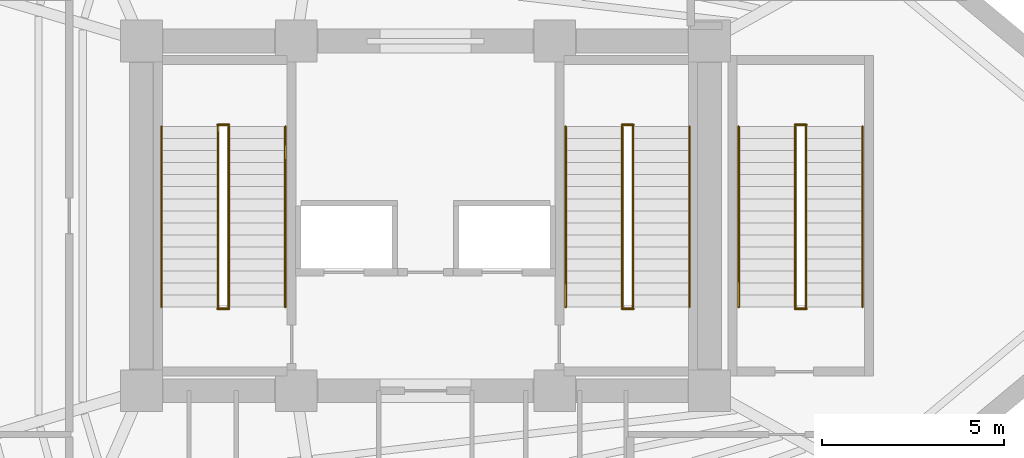
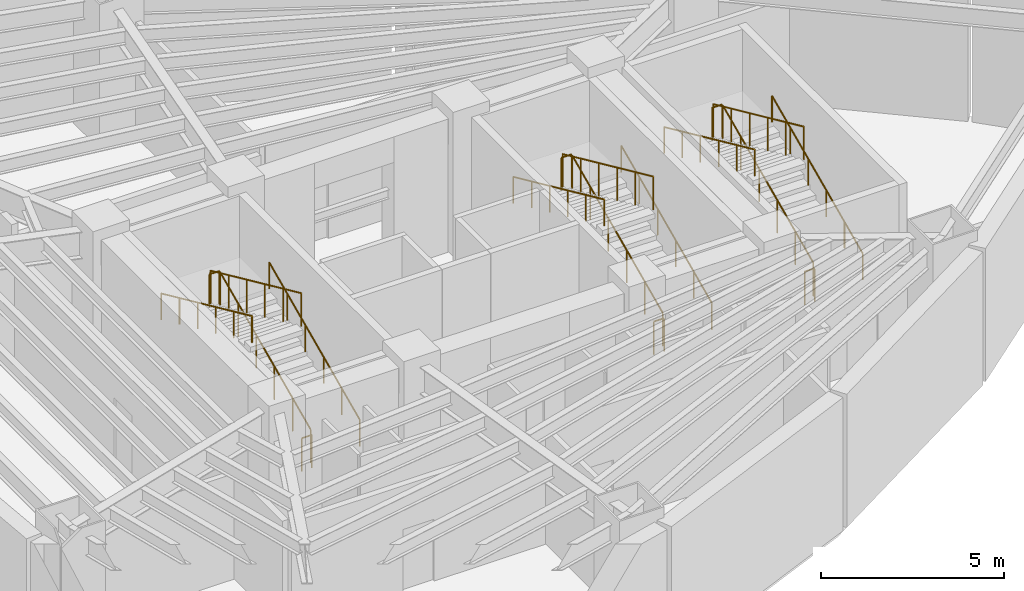
# One storey, part 5 of 5: 18 railings.
"""IFC4 building model written with IfcOpenShell, lengths in metres."""

import ifcopenshell
import ifcopenshell.guid

model = None  # the IFC model being written
_history = None  # IfcOwnerHistory: only IFC2X3 demands one
_inside = {}  # id of a spatial element -> (the spatial element, [elements in it])
_under = {}  # id of a project, library or spatial element -> (it, [spatial elements below it])
_declared = {}  # id of a project -> (the project, [libraries it declares])
_typed = {}  # id of a type object -> (the type object, [elements of that type])
_made_of = {}  # id of a material, layer set ... -> (it, [elements and type objects made of it])


def new_model(schema):
    """Start an empty IFC model of exactly this schema.

    Asked for "IFC4X3", IfcOpenShell would pick the latest addendum, in which some entities
    have other attributes; the version numbers below select the first issue.
    IFC2X3 requires an IfcOwnerHistory on every rooted entity: one is made here for all.
    """
    global model, _history
    if schema == "IFC4X3":
        model = ifcopenshell.file(schema_version=(4, 3, 0, 0))
    else:
        model = ifcopenshell.file(schema=schema)
    _inside.clear()
    _under.clear()
    _declared.clear()
    _typed.clear()
    _made_of.clear()
    _history = None
    if model.schema == "IFC2X3":
        org = make("IfcOrganization", Name="unknown")
        user = make(
            "IfcPersonAndOrganization",
            ThePerson=make("IfcPerson", FamilyName="unknown"),
            TheOrganization=org,
        )
        app = make(
            "IfcApplication",
            ApplicationDeveloper=org,
            Version="unknown",
            ApplicationFullName="unknown",
            ApplicationIdentifier="unknown",
        )
        _history = make(
            "IfcOwnerHistory",
            OwningUser=user,
            OwningApplication=app,
            ChangeAction="ADDED",
            CreationDate=0,
        )
    return model


def make(cls, **values):
    """One entity of the class cls with the attributes given. An attribute that is None is left unset."""
    return model.create_entity(
        cls, **{name: value for name, value in values.items() if value is not None}
    )


def rooted(cls, **values):
    """An entity with a GlobalId (a new one), such as an element, a storey or a relation."""
    return make(cls, GlobalId=ifcopenshell.guid.new(), OwnerHistory=_history, **values)


def si_unit(unit_type, name, prefix=None):
    """IfcSIUnit, for example si_unit("LENGTHUNIT", "METRE", prefix="MILLI")."""
    return make("IfcSIUnit", UnitType=unit_type, Prefix=prefix, Name=name)


def assignment(units):
    """IfcUnitAssignment: the units of a project."""
    return None if units is None else make("IfcUnitAssignment", Units=units)


def point(xyz):
    """IfcCartesianPoint."""
    return None if xyz is None else make("IfcCartesianPoint", Coordinates=xyz)


def direction(xyz):
    """IfcDirection."""
    return None if xyz is None else make("IfcDirection", DirectionRatios=xyz)


def frame(location, z_axis=None, x_axis=None):
    """IfcAxis2Placement3D, a coordinate frame: its origin and axes. An axis left out is left unset."""
    return make(
        "IfcAxis2Placement3D",
        Location=point(location),
        Axis=direction(z_axis),
        RefDirection=direction(x_axis),
    )


def frame_2d(location, x_axis=None):
    """IfcAxis2Placement2D, a coordinate frame in the plane: its origin and x axis."""
    return make(
        "IfcAxis2Placement2D", Location=point(location), RefDirection=direction(x_axis)
    )


def origin():
    """The frame at (0, 0, 0) with its axes left unset."""
    return frame((0.0, 0.0, 0.0))


def origin_2d():
    """The frame at (0, 0) in the plane with its x axis left unset."""
    return frame_2d((0.0, 0.0))


def place(relative_to, where):
    """IfcLocalPlacement: puts the frame where relative to a parent placement (None: the world)."""
    return make(
        "IfcLocalPlacement", PlacementRelTo=relative_to, RelativePlacement=where
    )


def context(
    kind, dimensions, precision=None, world=None, true_north=None, identifier=None
):
    """IfcGeometricRepresentationContext, for example the 3D "Model" context."""
    return make(
        "IfcGeometricRepresentationContext",
        ContextIdentifier=identifier,
        ContextType=kind,
        CoordinateSpaceDimension=dimensions,
        Precision=precision,
        WorldCoordinateSystem=world,
        TrueNorth=true_north,
    )


def subcontext(parent, identifier, kind, view, scale=None):
    """IfcGeometricRepresentationSubContext, for example "Body" below "Model"."""
    return make(
        "IfcGeometricRepresentationSubContext",
        ContextIdentifier=identifier,
        ContextType=kind,
        ParentContext=parent,
        TargetScale=scale,
        TargetView=view,
    )


def project(units=None, contexts=None):
    """IfcProject with its units and contexts."""
    return rooted(
        "IfcProject",
        Name="project",
        RepresentationContexts=contexts,
        UnitsInContext=assignment(units),
    )


def spatial(cls, under=None, at=None, **own):
    """A site, building, storey or space (cls), placed at a placement, below another one or the project."""
    s = rooted(cls, ObjectPlacement=at, **own)
    if under is not None:
        _under.setdefault(under.id(), (under, []))[1].append(s)
    return s


def profile(cls, at=None, kind="AREA", **sizes):
    """A parametric profile (cls). Its sizes go by their IFC names, for example OverallWidth=200.0."""
    return make(cls, ProfileType=kind, Position=at, **sizes)


def circle(**sizes):
    """IfcCircleProfileDef."""
    return profile("IfcCircleProfileDef", **sizes)


def extrude(swept, where, along, depth):
    """IfcExtrudedAreaSolid: the profile swept, set in the frame where, extruded along a direction by depth."""
    return make(
        "IfcExtrudedAreaSolid",
        SweptArea=swept,
        Position=where,
        ExtrudedDirection=direction(along),
        Depth=depth,
    )


def shape(context_of_items, identifier, shape_type, items):
    """IfcShapeRepresentation: the items that make up one representation, for example the "Body"."""
    return make(
        "IfcShapeRepresentation",
        ContextOfItems=context_of_items,
        RepresentationIdentifier=identifier,
        RepresentationType=shape_type,
        Items=items,
    )


def material(Name=None, Category=None):
    """IfcMaterial."""
    return make("IfcMaterial", Name=Name, Category=Category)


def made_of(thing, what):
    """Note that an element or type object is made of a material, layer set ...; save() writes the relation."""
    if what is not None:
        _made_of.setdefault(what.id(), (what, []))[1].append(thing)
    return thing


def type_object(cls, material=None, **own):
    """A type object (cls), such as IfcWallType, which elements share."""
    return made_of(rooted(cls, **own), material)


def element(
    cls,
    number,
    at=None,
    inside=None,
    cuts=None,
    type_object=None,
    material=None,
    context=None,
    identifier="Body",
    shape_type=None,
    held_by="IfcProductDefinitionShape",
    body=None,
    shapes=None,
    **own,
):
    """One element of the class cls, such as IfcWall. Its Tag is "e" and its number.

    at: its placement. inside: the storey or other place that contains it. cuts: it is an
    opening in that element (IfcRelVoidsElement). A single representation is given by context,
    identifier, shape_type and body (its items); several are given by shapes. held_by: the class
    of the entity that holds the representations. save() writes the other relations.
    """
    e = rooted(cls, Tag="e%d" % number, ObjectPlacement=at, **own)
    if body is not None:
        shapes = [shape(context, identifier, shape_type, body)]
    if shapes is not None:
        e.Representation = make(held_by, Representations=shapes)
    if inside is not None:
        _inside.setdefault(inside.id(), (inside, []))[1].append(e)
    if cuts is not None:
        rooted(
            "IfcRelVoidsElement", RelatingBuildingElement=cuts, RelatedOpeningElement=e
        )
    if type_object is not None:
        _typed.setdefault(type_object.id(), (type_object, []))[1].append(e)
    return made_of(e, material)


def aggregate(whole, parts):
    """IfcRelAggregates: a whole, such as a stair, and the parts it consists of."""
    return rooted("IfcRelAggregates", RelatingObject=whole, RelatedObjects=parts)


def save(model, path):
    """Write the relations noted so far, then the file.

    IfcRelAggregates (storeys below a building ...), IfcRelContainedInSpatialStructure (elements
    in a storey), IfcRelDefinesByType, IfcRelAssociatesMaterial and IfcRelDeclares: one each for
    every whole, place, type object, material and project.
    """
    for whole, parts in _under.values():
        aggregate(whole, parts)
    for where, things in _inside.values():
        rooted(
            "IfcRelContainedInSpatialStructure",
            RelatedElements=things,
            RelatingStructure=where,
        )
    for kind, things in _typed.values():
        rooted("IfcRelDefinesByType", RelatedObjects=things, RelatingType=kind)
    for what, things in _made_of.values():
        rooted("IfcRelAssociatesMaterial", RelatedObjects=things, RelatingMaterial=what)
    for by, libraries in _declared.values():
        rooted("IfcRelDeclares", RelatingContext=by, RelatedDefinitions=libraries)
    model.write(path)


model = new_model("IFC4")

# Units and contexts
model_context = context("Model", 3, precision=1e-05, world=origin(), true_north=direction((0.0, 1.0)))
body_context = subcontext(model_context, "Body", "Model", "MODEL_VIEW")
ifc_project = project(units=[si_unit("LENGTHUNIT", "METRE"), si_unit("AREAUNIT", "SQUARE_METRE"), si_unit("VOLUMEUNIT", "CUBIC_METRE"), si_unit("PLANEANGLEUNIT", "RADIAN"), si_unit("MASSUNIT", "GRAM", prefix="KILO")], contexts=[model_context])

# Site, building, storey
site_placement = place(None, origin())
site = spatial("IfcSite", under=ifc_project, at=site_placement, CompositionType="ELEMENT")
building_placement = place(site_placement, origin())
building = spatial("IfcBuilding", under=site, at=building_placement, Name="Menara Vayukalpa", CompositionType="ELEMENT")
storey_placement = place(building_placement, frame((0.0, 0.0, -4.800048828125)))
storey = spatial("IfcBuildingStorey", under=building, at=storey_placement, Name="B01", CompositionType="ELEMENT", Elevation=-4.800048828125)

# Railings
ifc_material_1 = material(Name="Powder-Coated Galvanised Steel Guardrail", Category="steel")
railing_type_1 = type_object("IfcRailingType", Name="RLG-STG110", PredefinedType="GUARDRAIL", material=ifc_material_1)
railing_1_placement = place(storey_placement, frame((20.199951171875, 19.5, 0.150146484375)))
element("IfcRailing", 1, at=railing_1_placement, inside=storey, type_object=railing_type_1, Name="B01 ST-1 stair guard 1", PredefinedType="GUARDRAIL", context=body_context, shape_type="SweptSolid", body=[
    extrude(circle(Radius=0.02392578125, at=origin_2d()), frame((0.0, 0.0, 1.09619140625), z_axis=(0.0, 0.910364939756, 0.41380632724), x_axis=(-1.0, 0.0, 0.0)), (0.0, 0.0, 1.0), 5.437255859375),
    extrude(circle(Radius=0.02099609375, at=origin_2d()), origin(), (0.0, 0.0, 1.0), 1.072021484375),
    extrude(circle(Radius=0.02099609375, at=origin_2d()), frame((0.0, 0.989990234375, 0.449951171875)), (0.0, 0.0, 1.0), 1.072021484375),
    extrude(circle(Radius=0.02099609375, at=origin_2d()), frame((0.0, 1.97998046875, 0.89990234375)), (0.0, 0.0, 1.0), 1.072021484375),
    extrude(circle(Radius=0.02099609375, at=origin_2d()), frame((0.0, 2.969970703125, 1.35009765625)), (0.0, 0.0, 1.0), 1.072021484375),
    extrude(circle(Radius=0.02099609375, at=origin_2d()), frame((0.0, 3.9599609375, 1.800048828125)), (0.0, 0.0, 1.0), 1.072021484375),
    extrude(circle(Radius=0.02099609375, at=origin_2d()), frame((0.0, 4.949951171875, 2.25)), (0.0, 0.0, 1.0), 1.072021484375),
])
railing_2_placement = place(storey_placement, frame((20.2099609375, 24.5, 2.400146484375)))
element("IfcRailing", 2, at=railing_2_placement, inside=storey, type_object=railing_type_1, Name="B01 ST-1 stair guard 2", PredefinedType="GUARDRAIL", context=body_context, shape_type="SweptSolid", body=[
    extrude(circle(Radius=0.02392578125, at=origin_2d()), frame((0.0, 0.0, 1.09619140625), z_axis=(-1.0, 0.0, 0.0), x_axis=(0.0, -1.0, 0.0)), (0.0, 0.0, 1.0), 0.320068359375),
    extrude(circle(Radius=0.02099609375, at=origin_2d()), origin(), (0.0, 0.0, 1.0), 1.072021484375),
    extrude(circle(Radius=0.02099609375, at=origin_2d()), frame((-0.320068359375, 0.0, 0.0)), (0.0, 0.0, 1.0), 1.072021484375),
])
railing_3_placement = place(storey_placement, frame((19.89990234375, 24.449951171875, 2.550048828125)))
element("IfcRailing", 3, at=railing_3_placement, inside=storey, type_object=railing_type_1, Name="B01 ST-1 stair guard 3", PredefinedType="GUARDRAIL", context=body_context, shape_type="SweptSolid", body=[
    extrude(circle(Radius=0.02392578125, at=origin_2d()), frame((0.0, 0.0, 1.09619140625), z_axis=(0.0, -0.910364939756, 0.41380632724), x_axis=(1.0, 0.0, 0.0)), (0.0, 0.0, 1.0), 5.437255859375),
    extrude(circle(Radius=0.02099609375, at=origin_2d()), origin(), (0.0, 0.0, 1.0), 1.072021484375),
    extrude(circle(Radius=0.02099609375, at=origin_2d()), frame((0.0, -0.989990234375, 0.449951171875)), (0.0, 0.0, 1.0), 1.072021484375),
    extrude(circle(Radius=0.02099609375, at=origin_2d()), frame((0.0, -1.97998046875, 0.89990234375)), (0.0, 0.0, 1.0), 1.072021484375),
    extrude(circle(Radius=0.02099609375, at=origin_2d()), frame((0.0, -2.969970703125, 1.35009765625)), (0.0, 0.0, 1.0), 1.072021484375),
    extrude(circle(Radius=0.02099609375, at=origin_2d()), frame((0.0, -3.9599609375, 1.800048828125)), (0.0, 0.0, 1.0), 1.072021484375),
    extrude(circle(Radius=0.02099609375, at=origin_2d()), frame((0.0, -4.949951171875, 2.25)), (0.0, 0.0, 1.0), 1.072021484375),
])
railing_4_placement = place(storey_placement, frame((20.2099609375, 19.449951171875, 0.0)))
element("IfcRailing", 4, at=railing_4_placement, inside=storey, type_object=railing_type_1, Name="B01 ST-1 stair guard 4", PredefinedType="GUARDRAIL", context=body_context, shape_type="SweptSolid", body=[
    extrude(circle(Radius=0.02392578125, at=origin_2d()), frame((0.0, 0.0, 1.09619140625), z_axis=(-1.0, 0.0, 0.0), x_axis=(0.0, -1.0, 0.0)), (0.0, 0.0, 1.0), 0.320068359375),
    extrude(circle(Radius=0.02099609375, at=origin_2d()), origin(), (0.0, 0.0, 1.0), 1.072021484375),
    extrude(circle(Radius=0.02099609375, at=origin_2d()), frame((-0.320068359375, 0.0, 0.0)), (0.0, 0.0, 1.0), 1.072021484375),
])
railing_5_placement = place(storey_placement, frame((31.300048828125, 19.5, 0.150146484375)))
element("IfcRailing", 5, at=railing_5_placement, inside=storey, type_object=railing_type_1, Name="B01 ST-2 stair guard 1", PredefinedType="GUARDRAIL", context=body_context, shape_type="SweptSolid", body=[
    extrude(circle(Radius=0.02392578125, at=origin_2d()), frame((0.0, 0.0, 1.09619140625), z_axis=(0.0, 0.910364939756, 0.41380632724), x_axis=(-1.0, 0.0, 0.0)), (0.0, 0.0, 1.0), 5.437255859375),
    extrude(circle(Radius=0.02099609375, at=origin_2d()), origin(), (0.0, 0.0, 1.0), 1.072021484375),
    extrude(circle(Radius=0.02099609375, at=origin_2d()), frame((0.0, 0.989990234375, 0.449951171875)), (0.0, 0.0, 1.0), 1.072021484375),
    extrude(circle(Radius=0.02099609375, at=origin_2d()), frame((0.0, 1.97998046875, 0.89990234375)), (0.0, 0.0, 1.0), 1.072021484375),
    extrude(circle(Radius=0.02099609375, at=origin_2d()), frame((0.0, 2.969970703125, 1.35009765625)), (0.0, 0.0, 1.0), 1.072021484375),
    extrude(circle(Radius=0.02099609375, at=origin_2d()), frame((0.0, 3.9599609375, 1.800048828125)), (0.0, 0.0, 1.0), 1.072021484375),
    extrude(circle(Radius=0.02099609375, at=origin_2d()), frame((0.0, 4.949951171875, 2.25)), (0.0, 0.0, 1.0), 1.072021484375),
])
railing_6_placement = place(storey_placement, frame((31.31005859375, 24.5, 2.400146484375)))
element("IfcRailing", 6, at=railing_6_placement, inside=storey, type_object=railing_type_1, Name="B01 ST-2 stair guard 2", PredefinedType="GUARDRAIL", context=body_context, shape_type="SweptSolid", body=[
    extrude(circle(Radius=0.02392578125, at=origin_2d()), frame((0.0, 0.0, 1.09619140625), z_axis=(-1.0, 0.0, 0.0), x_axis=(0.0, -1.0, 0.0)), (0.0, 0.0, 1.0), 0.320068359375),
    extrude(circle(Radius=0.02099609375, at=origin_2d()), origin(), (0.0, 0.0, 1.0), 1.072021484375),
    extrude(circle(Radius=0.02099609375, at=origin_2d()), frame((-0.320068359375, 0.0, 0.0)), (0.0, 0.0, 1.0), 1.072021484375),
])
railing_7_placement = place(storey_placement, frame((31.0, 24.449951171875, 2.550048828125)))
element("IfcRailing", 7, at=railing_7_placement, inside=storey, type_object=railing_type_1, Name="B01 ST-2 stair guard 3", PredefinedType="GUARDRAIL", context=body_context, shape_type="SweptSolid", body=[
    extrude(circle(Radius=0.02392578125, at=origin_2d()), frame((0.0, 0.0, 1.09619140625), z_axis=(0.0, -0.910364939756, 0.41380632724), x_axis=(1.0, 0.0, 0.0)), (0.0, 0.0, 1.0), 5.437255859375),
    extrude(circle(Radius=0.02099609375, at=origin_2d()), origin(), (0.0, 0.0, 1.0), 1.072021484375),
    extrude(circle(Radius=0.02099609375, at=origin_2d()), frame((0.0, -0.989990234375, 0.449951171875)), (0.0, 0.0, 1.0), 1.072021484375),
    extrude(circle(Radius=0.02099609375, at=origin_2d()), frame((0.0, -1.97998046875, 0.89990234375)), (0.0, 0.0, 1.0), 1.072021484375),
    extrude(circle(Radius=0.02099609375, at=origin_2d()), frame((0.0, -2.969970703125, 1.35009765625)), (0.0, 0.0, 1.0), 1.072021484375),
    extrude(circle(Radius=0.02099609375, at=origin_2d()), frame((0.0, -3.9599609375, 1.800048828125)), (0.0, 0.0, 1.0), 1.072021484375),
    extrude(circle(Radius=0.02099609375, at=origin_2d()), frame((0.0, -4.949951171875, 2.25)), (0.0, 0.0, 1.0), 1.072021484375),
])
railing_8_placement = place(storey_placement, frame((31.31005859375, 19.449951171875, 0.0)))
element("IfcRailing", 8, at=railing_8_placement, inside=storey, type_object=railing_type_1, Name="B01 ST-2 stair guard 4", PredefinedType="GUARDRAIL", context=body_context, shape_type="SweptSolid", body=[
    extrude(circle(Radius=0.02392578125, at=origin_2d()), frame((0.0, 0.0, 1.09619140625), z_axis=(-1.0, 0.0, 0.0), x_axis=(0.0, -1.0, 0.0)), (0.0, 0.0, 1.0), 0.320068359375),
    extrude(circle(Radius=0.02099609375, at=origin_2d()), origin(), (0.0, 0.0, 1.0), 1.072021484375),
    extrude(circle(Radius=0.02099609375, at=origin_2d()), frame((-0.320068359375, 0.0, 0.0)), (0.0, 0.0, 1.0), 1.072021484375),
])
railing_9_placement = place(storey_placement, frame((36.050048828125, 19.5, 0.150146484375)))
element("IfcRailing", 9, at=railing_9_placement, inside=storey, type_object=railing_type_1, Name="B01 ST-3 stair guard 1", PredefinedType="GUARDRAIL", context=body_context, shape_type="SweptSolid", body=[
    extrude(circle(Radius=0.02392578125, at=origin_2d()), frame((0.0, 0.0, 1.09619140625), z_axis=(0.0, 0.910364939756, 0.41380632724), x_axis=(-1.0, 0.0, 0.0)), (0.0, 0.0, 1.0), 5.437255859375),
    extrude(circle(Radius=0.02099609375, at=origin_2d()), origin(), (0.0, 0.0, 1.0), 1.072021484375),
    extrude(circle(Radius=0.02099609375, at=origin_2d()), frame((0.0, 0.989990234375, 0.449951171875)), (0.0, 0.0, 1.0), 1.072021484375),
    extrude(circle(Radius=0.02099609375, at=origin_2d()), frame((0.0, 1.97998046875, 0.89990234375)), (0.0, 0.0, 1.0), 1.072021484375),
    extrude(circle(Radius=0.02099609375, at=origin_2d()), frame((0.0, 2.969970703125, 1.35009765625)), (0.0, 0.0, 1.0), 1.072021484375),
    extrude(circle(Radius=0.02099609375, at=origin_2d()), frame((0.0, 3.9599609375, 1.800048828125)), (0.0, 0.0, 1.0), 1.072021484375),
    extrude(circle(Radius=0.02099609375, at=origin_2d()), frame((0.0, 4.949951171875, 2.25)), (0.0, 0.0, 1.0), 1.072021484375),
])
railing_10_placement = place(storey_placement, frame((36.06005859375, 24.5, 2.400146484375)))
element("IfcRailing", 10, at=railing_10_placement, inside=storey, type_object=railing_type_1, Name="B01 ST-3 stair guard 2", PredefinedType="GUARDRAIL", context=body_context, shape_type="SweptSolid", body=[
    extrude(circle(Radius=0.02392578125, at=origin_2d()), frame((0.0, 0.0, 1.09619140625), z_axis=(-1.0, 0.0, 0.0), x_axis=(0.0, -1.0, 0.0)), (0.0, 0.0, 1.0), 0.320068359375),
    extrude(circle(Radius=0.02099609375, at=origin_2d()), origin(), (0.0, 0.0, 1.0), 1.072021484375),
    extrude(circle(Radius=0.02099609375, at=origin_2d()), frame((-0.320068359375, 0.0, 0.0)), (0.0, 0.0, 1.0), 1.072021484375),
])
railing_11_placement = place(storey_placement, frame((35.75, 24.449951171875, 2.550048828125)))
element("IfcRailing", 11, at=railing_11_placement, inside=storey, type_object=railing_type_1, Name="B01 ST-3 stair guard 3", PredefinedType="GUARDRAIL", context=body_context, shape_type="SweptSolid", body=[
    extrude(circle(Radius=0.02392578125, at=origin_2d()), frame((0.0, 0.0, 1.09619140625), z_axis=(0.0, -0.910364939756, 0.41380632724), x_axis=(1.0, 0.0, 0.0)), (0.0, 0.0, 1.0), 5.437255859375),
    extrude(circle(Radius=0.02099609375, at=origin_2d()), origin(), (0.0, 0.0, 1.0), 1.072021484375),
    extrude(circle(Radius=0.02099609375, at=origin_2d()), frame((0.0, -0.989990234375, 0.449951171875)), (0.0, 0.0, 1.0), 1.072021484375),
    extrude(circle(Radius=0.02099609375, at=origin_2d()), frame((0.0, -1.97998046875, 0.89990234375)), (0.0, 0.0, 1.0), 1.072021484375),
    extrude(circle(Radius=0.02099609375, at=origin_2d()), frame((0.0, -2.969970703125, 1.35009765625)), (0.0, 0.0, 1.0), 1.072021484375),
    extrude(circle(Radius=0.02099609375, at=origin_2d()), frame((0.0, -3.9599609375, 1.800048828125)), (0.0, 0.0, 1.0), 1.072021484375),
    extrude(circle(Radius=0.02099609375, at=origin_2d()), frame((0.0, -4.949951171875, 2.25)), (0.0, 0.0, 1.0), 1.072021484375),
])
railing_12_placement = place(storey_placement, frame((36.06005859375, 19.449951171875, 0.0)))
element("IfcRailing", 12, at=railing_12_placement, inside=storey, type_object=railing_type_1, Name="B01 ST-3 stair guard 4", PredefinedType="GUARDRAIL", context=body_context, shape_type="SweptSolid", body=[
    extrude(circle(Radius=0.02392578125, at=origin_2d()), frame((0.0, 0.0, 1.09619140625), z_axis=(-1.0, 0.0, 0.0), x_axis=(0.0, -1.0, 0.0)), (0.0, 0.0, 1.0), 0.320068359375),
    extrude(circle(Radius=0.02099609375, at=origin_2d()), origin(), (0.0, 0.0, 1.0), 1.072021484375),
    extrude(circle(Radius=0.02099609375, at=origin_2d()), frame((-0.320068359375, 0.0, 0.0)), (0.0, 0.0, 1.0), 1.072021484375),
])
ifc_material_2 = material(Name="Stainless Steel 316 Tubular Handrail", Category="steel")
railing_type_2 = type_object("IfcRailingType", Name="RLG-STH090", PredefinedType="HANDRAIL", material=ifc_material_2)
railing_13_placement = place(storey_placement, frame((21.75, 19.5, 0.150146484375)))
element("IfcRailing", 13, at=railing_13_placement, inside=storey, type_object=railing_type_2, Name="B01 ST-1 stair handrail 1", PredefinedType="HANDRAIL", context=body_context, shape_type="SweptSolid", body=[
    extrude(circle(Radius=0.02392578125, at=origin_2d()), frame((0.0, 0.0, 0.8759765625), z_axis=(0.0, 0.910364939756, 0.41380632724), x_axis=(-1.0, 0.0, 0.0)), (0.0, 0.0, 1.0), 5.437255859375),
    extrude(circle(Radius=0.02099609375, at=origin_2d()), origin(), (0.0, 0.0, 1.0), 0.851806640625),
    extrude(circle(Radius=0.02099609375, at=origin_2d()), frame((0.0, 0.989990234375, 0.449951171875)), (0.0, 0.0, 1.0), 0.851806640625),
    extrude(circle(Radius=0.02099609375, at=origin_2d()), frame((0.0, 1.97998046875, 0.89990234375)), (0.0, 0.0, 1.0), 0.851806640625),
    extrude(circle(Radius=0.02099609375, at=origin_2d()), frame((0.0, 2.969970703125, 1.35009765625)), (0.0, 0.0, 1.0), 0.851806640625),
    extrude(circle(Radius=0.02099609375, at=origin_2d()), frame((0.0, 3.9599609375, 1.800048828125)), (0.0, 0.0, 1.0), 0.851806640625),
    extrude(circle(Radius=0.02099609375, at=origin_2d()), frame((0.0, 4.949951171875, 2.25)), (0.0, 0.0, 1.0), 0.851806640625),
])
railing_14_placement = place(storey_placement, frame((18.35009765625, 24.449951171875, 2.550048828125)))
element("IfcRailing", 14, at=railing_14_placement, inside=storey, type_object=railing_type_2, Name="B01 ST-1 stair handrail 2", PredefinedType="HANDRAIL", context=body_context, shape_type="SweptSolid", body=[
    extrude(circle(Radius=0.02392578125, at=origin_2d()), frame((0.0, 0.0, 0.8759765625), z_axis=(0.0, -0.910364939756, 0.41380632724), x_axis=(1.0, 0.0, 0.0)), (0.0, 0.0, 1.0), 5.437255859375),
    extrude(circle(Radius=0.02099609375, at=origin_2d()), origin(), (0.0, 0.0, 1.0), 0.851806640625),
    extrude(circle(Radius=0.02099609375, at=origin_2d()), frame((0.0, -0.989990234375, 0.449951171875)), (0.0, 0.0, 1.0), 0.851806640625),
    extrude(circle(Radius=0.02099609375, at=origin_2d()), frame((0.0, -1.97998046875, 0.89990234375)), (0.0, 0.0, 1.0), 0.851806640625),
    extrude(circle(Radius=0.02099609375, at=origin_2d()), frame((0.0, -2.969970703125, 1.35009765625)), (0.0, 0.0, 1.0), 0.851806640625),
    extrude(circle(Radius=0.02099609375, at=origin_2d()), frame((0.0, -3.9599609375, 1.800048828125)), (0.0, 0.0, 1.0), 0.851806640625),
    extrude(circle(Radius=0.02099609375, at=origin_2d()), frame((0.0, -4.949951171875, 2.25)), (0.0, 0.0, 1.0), 0.851806640625),
])
railing_15_placement = place(storey_placement, frame((32.85009765625, 19.5, 0.150146484375)))
element("IfcRailing", 15, at=railing_15_placement, inside=storey, type_object=railing_type_2, Name="B01 ST-2 stair handrail 1", PredefinedType="HANDRAIL", context=body_context, shape_type="SweptSolid", body=[
    extrude(circle(Radius=0.02392578125, at=origin_2d()), frame((0.0, 0.0, 0.8759765625), z_axis=(0.0, 0.910364939756, 0.41380632724), x_axis=(-1.0, 0.0, 0.0)), (0.0, 0.0, 1.0), 5.437255859375),
    extrude(circle(Radius=0.02099609375, at=origin_2d()), origin(), (0.0, 0.0, 1.0), 0.851806640625),
    extrude(circle(Radius=0.02099609375, at=origin_2d()), frame((0.0, 0.989990234375, 0.449951171875)), (0.0, 0.0, 1.0), 0.851806640625),
    extrude(circle(Radius=0.02099609375, at=origin_2d()), frame((0.0, 1.97998046875, 0.89990234375)), (0.0, 0.0, 1.0), 0.851806640625),
    extrude(circle(Radius=0.02099609375, at=origin_2d()), frame((0.0, 2.969970703125, 1.35009765625)), (0.0, 0.0, 1.0), 0.851806640625),
    extrude(circle(Radius=0.02099609375, at=origin_2d()), frame((0.0, 3.9599609375, 1.800048828125)), (0.0, 0.0, 1.0), 0.851806640625),
    extrude(circle(Radius=0.02099609375, at=origin_2d()), frame((0.0, 4.949951171875, 2.25)), (0.0, 0.0, 1.0), 0.851806640625),
])
railing_16_placement = place(storey_placement, frame((29.449951171875, 24.449951171875, 2.550048828125)))
element("IfcRailing", 16, at=railing_16_placement, inside=storey, type_object=railing_type_2, Name="B01 ST-2 stair handrail 2", PredefinedType="HANDRAIL", context=body_context, shape_type="SweptSolid", body=[
    extrude(circle(Radius=0.02392578125, at=origin_2d()), frame((0.0, 0.0, 0.8759765625), z_axis=(0.0, -0.910364939756, 0.41380632724), x_axis=(1.0, 0.0, 0.0)), (0.0, 0.0, 1.0), 5.437255859375),
    extrude(circle(Radius=0.02099609375, at=origin_2d()), origin(), (0.0, 0.0, 1.0), 0.851806640625),
    extrude(circle(Radius=0.02099609375, at=origin_2d()), frame((0.0, -0.989990234375, 0.449951171875)), (0.0, 0.0, 1.0), 0.851806640625),
    extrude(circle(Radius=0.02099609375, at=origin_2d()), frame((0.0, -1.97998046875, 0.89990234375)), (0.0, 0.0, 1.0), 0.851806640625),
    extrude(circle(Radius=0.02099609375, at=origin_2d()), frame((0.0, -2.969970703125, 1.35009765625)), (0.0, 0.0, 1.0), 0.851806640625),
    extrude(circle(Radius=0.02099609375, at=origin_2d()), frame((0.0, -3.9599609375, 1.800048828125)), (0.0, 0.0, 1.0), 0.851806640625),
    extrude(circle(Radius=0.02099609375, at=origin_2d()), frame((0.0, -4.949951171875, 2.25)), (0.0, 0.0, 1.0), 0.851806640625),
])
railing_17_placement = place(storey_placement, frame((37.60009765625, 19.5, 0.150146484375)))
element("IfcRailing", 17, at=railing_17_placement, inside=storey, type_object=railing_type_2, Name="B01 ST-3 stair handrail 1", PredefinedType="HANDRAIL", context=body_context, shape_type="SweptSolid", body=[
    extrude(circle(Radius=0.02392578125, at=origin_2d()), frame((0.0, 0.0, 0.8759765625), z_axis=(0.0, 0.910364939756, 0.41380632724), x_axis=(-1.0, 0.0, 0.0)), (0.0, 0.0, 1.0), 5.437255859375),
    extrude(circle(Radius=0.02099609375, at=origin_2d()), origin(), (0.0, 0.0, 1.0), 0.851806640625),
    extrude(circle(Radius=0.02099609375, at=origin_2d()), frame((0.0, 0.989990234375, 0.449951171875)), (0.0, 0.0, 1.0), 0.851806640625),
    extrude(circle(Radius=0.02099609375, at=origin_2d()), frame((0.0, 1.97998046875, 0.89990234375)), (0.0, 0.0, 1.0), 0.851806640625),
    extrude(circle(Radius=0.02099609375, at=origin_2d()), frame((0.0, 2.969970703125, 1.35009765625)), (0.0, 0.0, 1.0), 0.851806640625),
    extrude(circle(Radius=0.02099609375, at=origin_2d()), frame((0.0, 3.9599609375, 1.800048828125)), (0.0, 0.0, 1.0), 0.851806640625),
    extrude(circle(Radius=0.02099609375, at=origin_2d()), frame((0.0, 4.949951171875, 2.25)), (0.0, 0.0, 1.0), 0.851806640625),
])
railing_18_placement = place(storey_placement, frame((34.199951171875, 24.449951171875, 2.550048828125)))
element("IfcRailing", 18, at=railing_18_placement, inside=storey, type_object=railing_type_2, Name="B01 ST-3 stair handrail 2", PredefinedType="HANDRAIL", context=body_context, shape_type="SweptSolid", body=[
    extrude(circle(Radius=0.02392578125, at=origin_2d()), frame((0.0, 0.0, 0.8759765625), z_axis=(0.0, -0.910364939756, 0.41380632724), x_axis=(1.0, 0.0, 0.0)), (0.0, 0.0, 1.0), 5.437255859375),
    extrude(circle(Radius=0.02099609375, at=origin_2d()), origin(), (0.0, 0.0, 1.0), 0.851806640625),
    extrude(circle(Radius=0.02099609375, at=origin_2d()), frame((0.0, -0.989990234375, 0.449951171875)), (0.0, 0.0, 1.0), 0.851806640625),
    extrude(circle(Radius=0.02099609375, at=origin_2d()), frame((0.0, -1.97998046875, 0.89990234375)), (0.0, 0.0, 1.0), 0.851806640625),
    extrude(circle(Radius=0.02099609375, at=origin_2d()), frame((0.0, -2.969970703125, 1.35009765625)), (0.0, 0.0, 1.0), 0.851806640625),
    extrude(circle(Radius=0.02099609375, at=origin_2d()), frame((0.0, -3.9599609375, 1.800048828125)), (0.0, 0.0, 1.0), 0.851806640625),
    extrude(circle(Radius=0.02099609375, at=origin_2d()), frame((0.0, -4.949951171875, 2.25)), (0.0, 0.0, 1.0), 0.851806640625),
])

save(model, "model.ifc")
